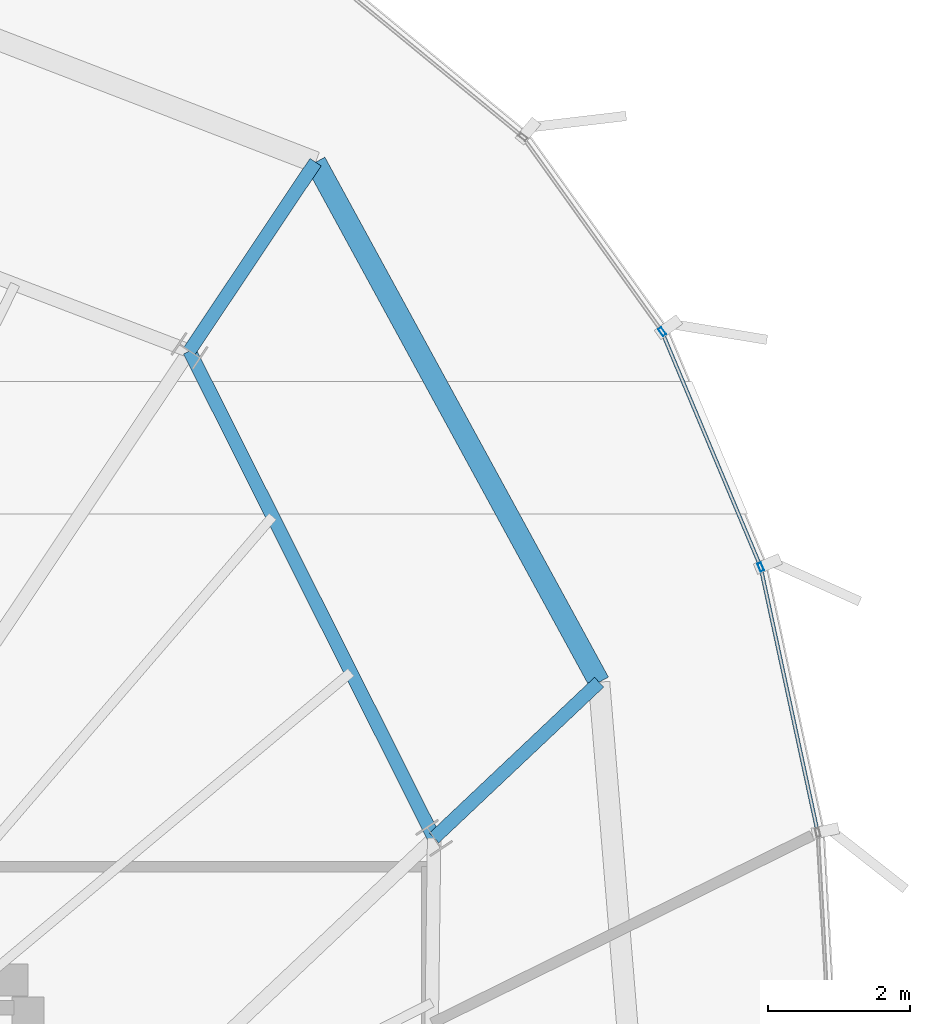
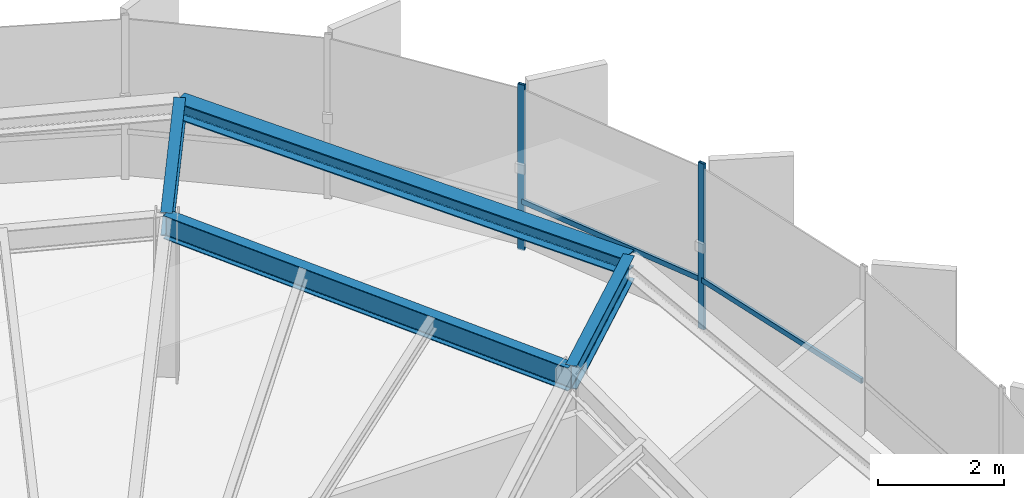
# One storey, part 22 of 31: 4 beams, 4 members, 1 element without a shape of its own.
"""IFC4 building model written with IfcOpenShell, lengths in metres."""

from ifc_helpers import new_model, si_unit, direction, frame, origin, origin_2d, place, context, subcontext, project, spatial, hollow_rectangle, i_section, extrude, source, transform, mapped, material, layer, layer_set, material_profile, profile_set, type_object, element, aggregate, save


model = new_model("IFC4")

# Units and contexts
model_context = context("Model", 3, precision=1e-05, world=origin(), true_north=direction((0.0, 1.0)))
body_context = subcontext(model_context, "Body", "Model", "MODEL_VIEW")
ifc_project = project(units=[si_unit("LENGTHUNIT", "METRE"), si_unit("AREAUNIT", "SQUARE_METRE"), si_unit("VOLUMEUNIT", "CUBIC_METRE"), si_unit("PLANEANGLEUNIT", "RADIAN"), si_unit("MASSUNIT", "GRAM", prefix="KILO"), si_unit("THERMODYNAMICTEMPERATUREUNIT", "KELVIN")], contexts=[model_context])

# Site, building, storey
site_placement = place(None, origin())
site = spatial("IfcSite", under=ifc_project, at=site_placement, CompositionType="ELEMENT")
building_placement = place(site_placement, origin())
building = spatial("IfcBuilding", under=site, at=building_placement, Name="Kethvar Cultural Tower", CompositionType="ELEMENT")
storey_placement = place(building_placement, frame((0.0, 0.0, 269.800048828125)))
storey = spatial("IfcBuildingStorey", under=building, at=storey_placement, Name="L71", CompositionType="ELEMENT", Elevation=269.800048828125)

# Beams
ifc_material_1 = material(Name="Steel S355J2", Category="steel")
ifc_material_profile_1 = material_profile(ifc_material_1, i_section(OverallWidth=0.18994140625, OverallDepth=0.449951171875, WebThickness=0.009521484375, FlangeThickness=0.0146484375, FilletRadius=0.02099609375, at=origin_2d()), Name="Steel S355J2 — IPE450")
ifc_profile_set_1 = profile_set([ifc_material_profile_1], Name="Steel S355J2 — IPE450")
beam_type_1 = type_object("IfcBeamType", Name="BM-IPE450", PredefinedType="BEAM", material=ifc_profile_set_1)
shared_shape_1 = source(origin(), body_context, "Body", "SweptSolid", [
    extrude(i_section(OverallWidth=0.18994140625, OverallDepth=0.449951171875, WebThickness=0.009521484375, FlangeThickness=0.0146484375, FilletRadius=0.02099609375, at=origin_2d()), origin(), (0.0, 0.0, 1.0), 3.199951171875),
])
beam_1_placement = place(storey_placement, frame((61.32568359375, 37.505859375, 2.98291015625), z_axis=(0.727146433404, 0.686482384616, 0.0), x_axis=(-0.686482384616, 0.727146433404, 0.0)))
element("IfcBeam", 1, at=beam_1_placement, inside=storey, type_object=beam_type_1, Name="L71 Perimeter Cantilever Beam RC-02", PredefinedType="BEAM", context=body_context, shape_type="MappedRepresentation", body=[
    mapped(shared_shape_1, transform((0.0, 0.0, 0.0), scale=1.0)),
])
shared_shape_2 = source(origin(), body_context, "Body", "SweptSolid", [
    extrude(i_section(OverallWidth=0.18994140625, OverallDepth=0.449951171875, WebThickness=0.009521484375, FlangeThickness=0.0146484375, FilletRadius=0.02099609375, at=origin_2d()), origin(), (0.0, 0.0, 1.0), 3.2001953125),
])
beam_2_placement = place(storey_placement, frame((57.875244140625, 44.375, 2.98291015625), z_axis=(0.555544970406, 0.831486491686, 0.0), x_axis=(-0.831486491686, 0.555544970406, 0.0)))
element("IfcBeam", 2, at=beam_2_placement, inside=storey, type_object=beam_type_1, Name="L71 Perimeter Cantilever Beam RC-03", PredefinedType="BEAM", context=body_context, shape_type="MappedRepresentation", body=[
    mapped(shared_shape_2, transform((0.0, 0.0, 0.0), scale=1.0)),
])
shared_shape_3 = source(origin(), body_context, "Body", "SweptSolid", [
    extrude(i_section(OverallWidth=0.18994140625, OverallDepth=0.449951171875, WebThickness=0.009521484375, FlangeThickness=0.0146484375, FilletRadius=0.02099609375, at=origin_2d()), origin(), (0.0, 0.0, 1.0), 7.68701171875),
])
beam_3_placement = place(storey_placement, frame((61.32568359375, 37.505859375, 2.98291015625), z_axis=(-0.448864354142, 0.893599905763, 0.0), x_axis=(-0.893599905763, -0.448864354142, 0.0)))
element("IfcBeam", 3, at=beam_3_placement, inside=storey, type_object=beam_type_1, Name="L71 Column Ring Tie Beam CR-02", PredefinedType="BEAM", context=body_context, shape_type="MappedRepresentation", body=[
    mapped(shared_shape_3, transform((0.0, 0.0, 0.0), scale=1.0)),
])
ifc_material_profile_2 = material_profile(ifc_material_1, i_section(OverallWidth=0.300048828125, OverallDepth=0.320068359375, WebThickness=0.011474609375, FlangeThickness=0.0205078125, FilletRadius=0.027099609375, at=origin_2d()), Name="Steel S355J2 — HEB320")
ifc_profile_set_2 = profile_set([ifc_material_profile_2], Name="Steel S355J2 — HEB320")
beam_type_2 = type_object("IfcBeamType", Name="BM-SP320", PredefinedType="SPANDREL", material=ifc_profile_set_2)
shared_shape_4 = source(origin(), body_context, "Body", "SweptSolid", [
    extrude(i_section(OverallWidth=0.300048828125, OverallDepth=0.320068359375, WebThickness=0.011474609375, FlangeThickness=0.0205078125, FilletRadius=0.027099609375, at=origin_2d()), origin(), (0.0, 0.0, 1.0), 8.35302734375),
])
beam_4_placement = place(storey_placement, frame((63.652587890625, 39.70263671875, 3.0478515625), z_axis=(-0.478811173891, 0.877917911742, 0.0), x_axis=(-0.877917911742, -0.478811173891, 0.0)))
element("IfcBeam", 4, at=beam_4_placement, inside=storey, type_object=beam_type_2, Name="L71 Perimeter Spandrel Beam SP-02", PredefinedType="SPANDREL", context=body_context, shape_type="MappedRepresentation", body=[
    mapped(shared_shape_4, transform((0.0, 0.0, 0.0), scale=1.0)),
])

# Curtain wall, members
ifc_material_2 = material(Name="Aluminium 6063-T6", Category="aluminium")
ifc_layer = layer(ifc_material_2, 0.179931640625, Name="Aluminium 6063-T6", Category="aluminium")
ifc_layer_set = layer_set([ifc_layer], Name="Aluminium 6063-T6 (180 mm)")
curtain_wall_type = type_object("IfcCurtainWallType", Name="CW-SYS-05-Z56", PredefinedType="NOTDEFINED", material=ifc_layer_set)
curtain_wall_placement = place(storey_placement, origin())
curtain_wall = element("IfcCurtainWall", 5, at=curtain_wall_placement, inside=storey, type_object=curtain_wall_type, Name="L71 Curtain Wall Run 06", PredefinedType="NOTDEFINED")
ifc_material_profile_3 = material_profile(ifc_material_2, hollow_rectangle(XDim=0.054931640625, YDim=0.1201171875, WallThickness=0.00390625, at=origin_2d()), Name="Aluminium 6063-T6 — RHS120x55x4")
ifc_profile_set_3 = profile_set([ifc_material_profile_3], Name="Aluminium 6063-T6 — RHS120x55x4")
member_type_1 = type_object("IfcMemberType", Name="CW-SYS-05-Z56-MUL", PredefinedType="MULLION", material=ifc_profile_set_3)
shared_shape_5 = source(origin(), body_context, "Body", "SweptSolid", [
    extrude(hollow_rectangle(XDim=0.054931640625, YDim=0.1201171875, WallThickness=0.00390625, at=origin_2d()), origin(), (0.0, 0.0, 1.0), 3.2099609375),
])
member_1_placement = place(storey_placement, frame((65.931884765625, 41.32666015625, 0.0), z_axis=(0.0, 0.0, 1.0), x_axis=(-0.922059172761, -0.387048939964, 0.0)))
member_1 = element("IfcMember", 6, at=member_1_placement, type_object=member_type_1, Name="CW-L71-R06 Mullion 4", PredefinedType="MULLION", context=body_context, shape_type="MappedRepresentation", body=[
    mapped(shared_shape_5, transform((0.0, 0.0, 0.0), scale=1.0)),
])
member_2_placement = place(storey_placement, frame((64.54150390625, 44.64599609375, 0.0), z_axis=(0.0, 0.0, 1.0), x_axis=(-0.812897512265, -0.582406760395, 0.0)))
member_2 = element("IfcMember", 7, at=member_2_placement, type_object=member_type_1, Name="CW-L71-R06 Mullion 5", PredefinedType="MULLION", context=body_context, shape_type="MappedRepresentation", body=[
    mapped(shared_shape_5, transform((0.0, 0.0, 0.0), scale=1.0)),
])
ifc_material_profile_4 = material_profile(ifc_material_2, hollow_rectangle(XDim=0.050048828125, YDim=0.10009765625, WallThickness=0.00390625, at=origin_2d()), Name="Aluminium 6063-T6 — RHS100x50x4")
ifc_profile_set_4 = profile_set([ifc_material_profile_4], Name="Aluminium 6063-T6 — RHS100x50x4")
member_type_2 = type_object("IfcMemberType", Name="CW-SYS-05-Z56-TRN", PredefinedType="USERDEFINED", material=ifc_profile_set_4)
shared_shape_6 = source(origin(), body_context, "Body", "SweptSolid", [
    extrude(hollow_rectangle(XDim=0.050048828125, YDim=0.10009765625, WallThickness=0.00390625, at=origin_2d()), origin(), (0.0, 0.0, 1.0), 3.770263671875),
])
member_3_placement = place(storey_placement, frame((66.72802734375, 37.619873046875, 0.949951171875), z_axis=(-0.210391364028, 0.977617243067, 0.0), x_axis=(-0.977617243067, -0.210391364028, 0.0)))
member_3 = element("IfcMember", 8, at=member_3_placement, type_object=member_type_2, Name="CW-L71-R06 Transom 3", ObjectType="TRANSOM", PredefinedType="USERDEFINED", context=body_context, shape_type="MappedRepresentation", body=[
    mapped(shared_shape_6, transform((0.0, 0.0, 0.0), scale=1.0)),
])
shared_shape_7 = source(origin(), body_context, "Body", "SweptSolid", [
    extrude(hollow_rectangle(XDim=0.050048828125, YDim=0.10009765625, WallThickness=0.00390625, at=origin_2d()), origin(), (0.0, 0.0, 1.0), 3.541748046875),
])
member_4_placement = place(storey_placement, frame((65.916748046875, 41.36328125, 0.949951171875), z_axis=(-0.387061374574, 0.922053953038, 0.0), x_axis=(-0.922053953038, -0.387061374574, 0.0)))
member_4 = element("IfcMember", 9, at=member_4_placement, type_object=member_type_2, Name="CW-L71-R06 Transom 4", ObjectType="TRANSOM", PredefinedType="USERDEFINED", context=body_context, shape_type="MappedRepresentation", body=[
    mapped(shared_shape_7, transform((0.0, 0.0, 0.0), scale=1.0)),
])
aggregate(curtain_wall, [member_1, member_2, member_3, member_4])

save(model, "model.ifc")
